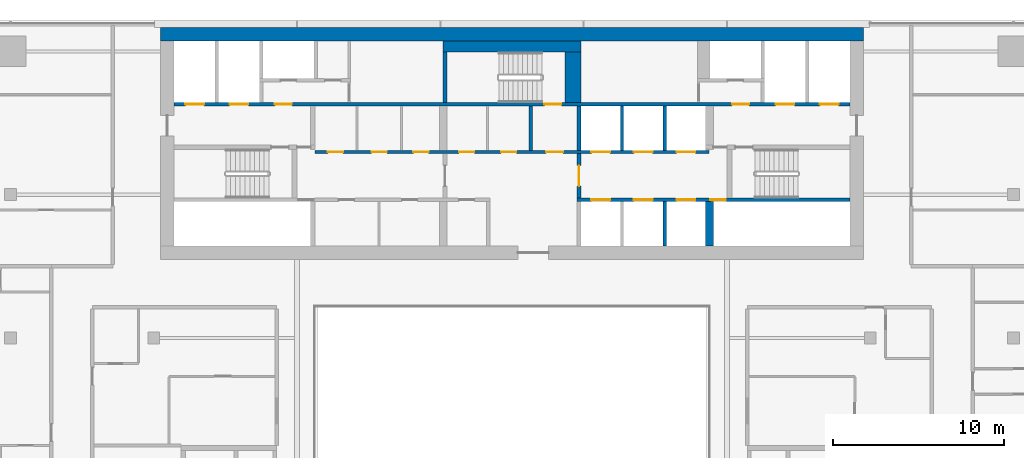
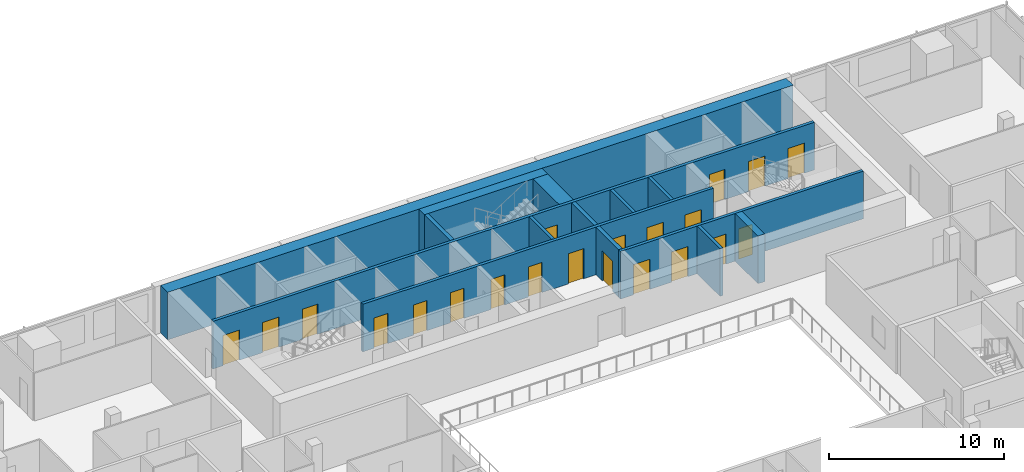
# One storey, part 20 of 27: 21 doors, 14 walls, 21 openings.
"""IFC4 building model written with IfcOpenShell, lengths in metres."""

from ifc_helpers import new_model, si_unit, direction, frame, frame_2d, origin, place, context, subcontext, project, spatial, rectangle, extrude, material, layer, layer_set, type_object, element, fill, save


model = new_model("IFC4")

# Units and contexts
model_context = context("Model", 3, precision=1e-05, world=origin(), true_north=direction((0.0, 1.0)))
body_context = subcontext(model_context, "Body", "Model", "MODEL_VIEW")
ifc_project = project(units=[si_unit("LENGTHUNIT", "METRE"), si_unit("AREAUNIT", "SQUARE_METRE"), si_unit("VOLUMEUNIT", "CUBIC_METRE"), si_unit("PLANEANGLEUNIT", "RADIAN"), si_unit("MASSUNIT", "GRAM", prefix="KILO")], contexts=[model_context])

# Site, building, storey
site_placement = place(None, origin())
site = spatial("IfcSite", under=ifc_project, at=site_placement, CompositionType="ELEMENT")
building_placement = place(site_placement, origin())
building = spatial("IfcBuilding", under=site, at=building_placement, Name="Saffron Gate Tower", CompositionType="ELEMENT")
storey_placement = place(building_placement, frame((0.0, 0.0, 183.449951171875)))
storey = spatial("IfcBuildingStorey", under=building, at=storey_placement, Name="L45", CompositionType="ELEMENT", Elevation=183.449951171875)

# Walls
ifc_material_1 = material(Name="Gypsum board partition on steel studs", Category="steel")
ifc_layer_1 = layer(ifc_material_1, 0.199951171875)
ifc_layer_set_1 = layer_set([ifc_layer_1], Name="CW10 Core partition 200")
wall_type_1 = type_object("IfcWallType", Name="CW10 Core partition 200", PredefinedType="PARTITIONING", material=ifc_layer_set_1)
wall_1_placement = place(storey_placement, frame((88.699951171875, 68.0, 0.0), z_axis=(0.0, 0.0, 1.0), x_axis=(0.0, 1.0, 0.0)))
element("IfcWall", 1, at=wall_1_placement, inside=storey, type_object=wall_type_1, Name="Wall CW10-L45-24", PredefinedType="PARTITIONING", context=body_context, shape_type="SweptSolid", body=[
    extrude(rectangle(XDim=2.60009765625, YDim=0.199951171875, at=frame_2d((1.300048828125, 0.0))), origin(), (0.0, 0.0, 1.0), 3.320068359375),
])
ifc_material_2 = material(Name="Concrete C60", Category="concrete")
ifc_layer_2 = layer(ifc_material_2, 0.800048828125)
ifc_layer_set_2 = layer_set([ifc_layer_2], Name="CW13 RC core wall 800 C60")
wall_type_2 = type_object("IfcWallType", Name="CW13 RC core wall 800 C60", PredefinedType="SOLIDWALL", material=ifc_layer_set_2)
wall_2_placement = place(storey_placement, frame((67.0, 74.800048828125, 0.0), z_axis=(0.0, 0.0, 1.0), x_axis=(1.0, 0.0, 0.0)))
element("IfcWall", 2, at=wall_2_placement, inside=storey, type_object=wall_type_2, Name="Wall CW13-L45-2", PredefinedType="SOLIDWALL", context=body_context, shape_type="SweptSolid", body=[
    extrude(rectangle(XDim=41.199951171875, YDim=0.800048828125, at=frame_2d((20.60009765625, 0.0))), origin(), (0.0, 0.0, 1.0), 3.320068359375),
])

# Wall, opening, door
ifc_layer_3 = layer(ifc_material_2, 0.25)
ifc_layer_set_3 = layer_set([ifc_layer_3], Name="CW14 RC core wall 250 C60")
wall_type_3 = type_object("IfcWallType", Name="CW14 RC core wall 250 C60", PredefinedType="SOLIDWALL", material=ifc_layer_set_3)
wall_3_placement = place(storey_placement, frame((91.52490234375, 65.199951171875, 0.0), z_axis=(0.0, 0.0, 1.0), x_axis=(0.0, 1.0, 0.0)))
wall_3 = element("IfcWall", 3, at=wall_3_placement, inside=storey, type_object=wall_type_3, Name="Wall CW14-L45-17", PredefinedType="SOLIDWALL", context=body_context, shape_type="SweptSolid", body=[
    extrude(rectangle(XDim=2.60009765625, YDim=0.25, at=frame_2d((1.300048828125, 0.0))), origin(), (0.0, 0.0, 1.0), 3.320068359375),
])
opening_1_placement = place(wall_3_placement, frame((0.699951171875, 0.0, 0.0)))
opening_1 = element("IfcOpeningElement", 4, at=opening_1_placement, cuts=wall_3, Name="Opening CR-01", PredefinedType="OPENING", context=body_context, shape_type="SweptSolid", body=[
    extrude(rectangle(XDim=1.199951171875, YDim=2.10009765625, at=frame_2d((0.60009765625, 1.050048828125))), frame((0.0, 0.135009765625, 0.0), z_axis=(0.0, -1.0, 0.0), x_axis=(1.0, 0.0, 0.0)), (0.0, 0.0, 1.0), 0.27001953125),
])
ifc_material_3 = material(Name="Steel fire door set", Category="steel")
door_type_1 = type_object("IfcDoorType", Name="CD3 Lobby door 1200x2100 EI 120", OperationType="NOTDEFINED", PredefinedType="DOOR", material=ifc_material_3)
door_1_placement = place(opening_1_placement, origin())
door_1 = element("IfcDoor", 5, at=door_1_placement, inside=storey, type_object=door_type_1, Name="DOOR CR-01", OperationType="SINGLE_SWING_RIGHT", OverallHeight=2.10009765625, OverallWidth=1.199951171875, PredefinedType="DOOR", context=body_context, shape_type="SweptSolid", body=[
    extrude(rectangle(XDim=1.199951171875, YDim=2.10009765625, at=frame_2d((0.60009765625, 1.050048828125))), frame((0.0, 0.02490234375, 0.0), z_axis=(0.0, -1.0, 0.0), x_axis=(1.0, 0.0, 0.0)), (0.0, 0.0, 1.0), 0.050048828125),
])
fill(opening_1, door_1)

# Walls
wall_4_placement = place(storey_placement, frame((91.52490234375, 68.0, 0.0), z_axis=(0.0, 0.0, 1.0), x_axis=(0.0, 1.0, 0.0)))
element("IfcWall", 6, at=wall_4_placement, inside=storey, type_object=wall_type_3, Name="Wall CW14-L45-25", PredefinedType="SOLIDWALL", context=body_context, shape_type="SweptSolid", body=[
    extrude(rectangle(XDim=2.60009765625, YDim=0.25, at=frame_2d((1.300048828125, 0.0))), origin(), (0.0, 0.0, 1.0), 3.320068359375),
])
wall_5_placement = place(storey_placement, frame((83.675048828125, 70.800048828125, 0.0), z_axis=(0.0, 0.0, 1.0), x_axis=(0.0, 1.0, 0.0)))
element("IfcWall", 7, at=wall_5_placement, inside=storey, type_object=wall_type_3, Name="Wall CW14-L45-37", PredefinedType="SOLIDWALL", context=body_context, shape_type="SweptSolid", body=[
    extrude(rectangle(XDim=2.949951171875, YDim=0.25, at=frame_2d((1.47509765625, 0.0))), origin(), (0.0, 0.0, 1.0), 3.320068359375),
])
ifc_layer_4 = layer(ifc_material_2, 0.199951171875)
ifc_layer_set_4 = layer_set([ifc_layer_4], Name="CW15 RC core wall 200 C60")
wall_type_4 = type_object("IfcWallType", Name="CW15 RC core wall 200 C60", PredefinedType="SOLIDWALL", material=ifc_layer_set_4)
wall_6_placement = place(storey_placement, frame((96.550048828125, 62.39990234375, 0.0), z_axis=(0.0, 0.0, 1.0), x_axis=(0.0, 1.0, 0.0)))
element("IfcWall", 8, at=wall_6_placement, inside=storey, type_object=wall_type_4, Name="Wall CW15-L45-11", PredefinedType="SOLIDWALL", context=body_context, shape_type="SweptSolid", body=[
    extrude(rectangle(XDim=2.60009765625, YDim=0.199951171875, at=frame_2d((1.300048828125, 0.0))), origin(), (0.0, 0.0, 1.0), 3.320068359375),
])

# Wall, openings, doors
wall_7_placement = place(storey_placement, frame((91.39990234375, 65.10009765625, 0.0), z_axis=(0.0, 0.0, 1.0), x_axis=(1.0, 0.0, 0.0)))
wall_7 = element("IfcWall", 9, at=wall_7_placement, inside=storey, type_object=wall_type_4, Name="Wall CW15-L45-14", PredefinedType="SOLIDWALL", context=body_context, shape_type="SweptSolid", body=[
    extrude(rectangle(XDim=16.0, YDim=0.199951171875, at=frame_2d((8.0, 0.0))), origin(), (0.0, 0.0, 1.0), 3.320068359375),
])
opening_2_placement = place(wall_7_placement, frame((0.85009765625, 0.0, 0.0)))
opening_2 = element("IfcOpeningElement", 10, at=opening_2_placement, cuts=wall_7, Name="Opening LD-HR1", PredefinedType="OPENING", context=body_context, shape_type="SweptSolid", body=[
    extrude(rectangle(XDim=1.10009765625, YDim=2.10009765625, at=frame_2d((0.550048828125, 1.050048828125))), frame((0.0, 0.10986328125, 0.0), z_axis=(0.0, -1.0, 0.0), x_axis=(1.0, 0.0, 0.0)), (0.0, 0.0, 1.0), 0.219970703125),
])
opening_3_placement = place(wall_7_placement, frame((3.35009765625, 0.0, 0.0)))
opening_3 = element("IfcOpeningElement", 11, at=opening_3_placement, cuts=wall_7, Name="Opening LD-HR2", PredefinedType="OPENING", context=body_context, shape_type="SweptSolid", body=[
    extrude(rectangle(XDim=1.10009765625, YDim=2.10009765625, at=frame_2d((0.550048828125, 1.050048828125))), frame((0.0, 0.10986328125, 0.0), z_axis=(0.0, -1.0, 0.0), x_axis=(1.0, 0.0, 0.0)), (0.0, 0.0, 1.0), 0.219970703125),
])
opening_4_placement = place(wall_7_placement, frame((5.85009765625, 0.0, 0.0)))
opening_4 = element("IfcOpeningElement", 12, at=opening_4_placement, cuts=wall_7, Name="Opening LD-HR3", PredefinedType="OPENING", context=body_context, shape_type="SweptSolid", body=[
    extrude(rectangle(XDim=1.10009765625, YDim=2.10009765625, at=frame_2d((0.550048828125, 1.050048828125))), frame((0.0, 0.10986328125, 0.0), z_axis=(0.0, -1.0, 0.0), x_axis=(1.0, 0.0, 0.0)), (0.0, 0.0, 1.0), 0.219970703125),
])
opening_5_placement = place(wall_7_placement, frame((7.830078125, 0.0, 0.0)))
opening_5 = element("IfcOpeningElement", 13, at=opening_5_placement, cuts=wall_7, Name="Opening CR-48", PredefinedType="OPENING", context=body_context, shape_type="SweptSolid", body=[
    extrude(rectangle(XDim=0.89990234375, YDim=2.10009765625, at=frame_2d((0.449951171875, 1.050048828125))), frame((0.0, 0.10986328125, 0.0), z_axis=(0.0, -1.0, 0.0), x_axis=(1.0, 0.0, 0.0)), (0.0, 0.0, 1.0), 0.219970703125),
])
door_type_2 = type_object("IfcDoorType", Name="CD2 Riser door 900x2100 EI 60", OperationType="NOTDEFINED", PredefinedType="DOOR", material=ifc_material_3)
door_2_placement = place(opening_5_placement, origin())
door_2 = element("IfcDoor", 14, at=door_2_placement, inside=storey, type_object=door_type_2, Name="DOOR CR-48", OperationType="SINGLE_SWING_RIGHT", OverallHeight=2.10009765625, OverallWidth=0.89990234375, PredefinedType="DOOR", context=body_context, shape_type="SweptSolid", body=[
    extrude(rectangle(XDim=0.89990234375, YDim=2.10009765625, at=frame_2d((0.449951171875, 1.050048828125))), frame((0.0, 0.02490234375, 0.0), z_axis=(0.0, -1.0, 0.0), x_axis=(1.0, 0.0, 0.0)), (0.0, 0.0, 1.0), 0.050048828125),
])
fill(opening_5, door_2)
ifc_material_4 = material(Name="Stainless steel landing door", Category="steel")
door_type_3 = type_object("IfcDoorType", Name="LD Lift landing door 1100x2100 EI 120", OperationType="SLIDING_TO_LEFT", PredefinedType="DOOR", material=ifc_material_4)
door_3_placement = place(opening_2_placement, origin())
door_3 = element("IfcDoor", 15, at=door_3_placement, inside=storey, type_object=door_type_3, Name="LANDING DOOR LD-HR1", OperationType="SLIDING_TO_LEFT", OverallHeight=2.10009765625, OverallWidth=1.10009765625, PredefinedType="DOOR", context=body_context, shape_type="SweptSolid", body=[
    extrude(rectangle(XDim=1.10009765625, YDim=2.10009765625, at=frame_2d((0.550048828125, 1.050048828125))), frame((0.0, 0.02490234375, 0.0), z_axis=(0.0, -1.0, 0.0), x_axis=(1.0, 0.0, 0.0)), (0.0, 0.0, 1.0), 0.050048828125),
])
fill(opening_2, door_3)
door_4_placement = place(opening_3_placement, origin())
door_4 = element("IfcDoor", 16, at=door_4_placement, inside=storey, type_object=door_type_3, Name="LANDING DOOR LD-HR2", OperationType="SLIDING_TO_LEFT", OverallHeight=2.10009765625, OverallWidth=1.10009765625, PredefinedType="DOOR", context=body_context, shape_type="SweptSolid", body=[
    extrude(rectangle(XDim=1.10009765625, YDim=2.10009765625, at=frame_2d((0.550048828125, 1.050048828125))), frame((0.0, 0.02490234375, 0.0), z_axis=(0.0, -1.0, 0.0), x_axis=(1.0, 0.0, 0.0)), (0.0, 0.0, 1.0), 0.050048828125),
])
fill(opening_3, door_4)
door_5_placement = place(opening_4_placement, origin())
door_5 = element("IfcDoor", 17, at=door_5_placement, inside=storey, type_object=door_type_3, Name="LANDING DOOR LD-HR3", OperationType="SLIDING_TO_LEFT", OverallHeight=2.10009765625, OverallWidth=1.10009765625, PredefinedType="DOOR", context=body_context, shape_type="SweptSolid", body=[
    extrude(rectangle(XDim=1.10009765625, YDim=2.10009765625, at=frame_2d((0.550048828125, 1.050048828125))), frame((0.0, 0.02490234375, 0.0), z_axis=(0.0, -1.0, 0.0), x_axis=(1.0, 0.0, 0.0)), (0.0, 0.0, 1.0), 0.050048828125),
])
fill(opening_4, door_5)

wall_8_placement = place(storey_placement, frame((76.050048828125, 67.89990234375, 0.0), z_axis=(0.0, 0.0, 1.0), x_axis=(1.0, 0.0, 0.0)))
wall_8 = element("IfcWall", 18, at=wall_8_placement, inside=storey, type_object=wall_type_4, Name="Wall CW15-L45-19", PredefinedType="SOLIDWALL", context=body_context, shape_type="SweptSolid", body=[
    extrude(rectangle(XDim=23.099853515625, YDim=0.199951171875, at=frame_2d((11.5498046875, 0.0))), origin(), (0.0, 0.0, 1.0), 3.320068359375),
])
opening_6_placement = place(wall_8_placement, frame((0.75, 0.0, 0.0)))
opening_6 = element("IfcOpeningElement", 19, at=opening_6_placement, cuts=wall_8, Name="Opening CR-61", PredefinedType="OPENING", context=body_context, shape_type="SweptSolid", body=[
    extrude(rectangle(XDim=0.89990234375, YDim=2.10009765625, at=frame_2d((0.449951171875, 1.050048828125))), frame((0.0, 0.10986328125, 0.0), z_axis=(0.0, -1.0, 0.0), x_axis=(1.0, 0.0, 0.0)), (0.0, 0.0, 1.0), 0.219970703125),
])
opening_7_placement = place(wall_8_placement, frame((3.320068359375, 0.0, 0.0)))
opening_7 = element("IfcOpeningElement", 20, at=opening_7_placement, cuts=wall_8, Name="Opening CR-62", PredefinedType="OPENING", context=body_context, shape_type="SweptSolid", body=[
    extrude(rectangle(XDim=0.89990234375, YDim=2.10009765625, at=frame_2d((0.449951171875, 1.050048828125))), frame((0.0, 0.10986328125, 0.0), z_axis=(0.0, -1.0, 0.0), x_axis=(1.0, 0.0, 0.0)), (0.0, 0.0, 1.0), 0.219970703125),
])
opening_8_placement = place(wall_8_placement, frame((5.77001953125, 0.0, 0.0)))
opening_8 = element("IfcOpeningElement", 21, at=opening_8_placement, cuts=wall_8, Name="Opening CR-63", PredefinedType="OPENING", context=body_context, shape_type="SweptSolid", body=[
    extrude(rectangle(XDim=0.89990234375, YDim=2.10009765625, at=frame_2d((0.449951171875, 1.050048828125))), frame((0.0, 0.10986328125, 0.0), z_axis=(0.0, -1.0, 0.0), x_axis=(1.0, 0.0, 0.0)), (0.0, 0.0, 1.0), 0.219970703125),
])
opening_9_placement = place(wall_8_placement, frame((8.449951171875, 0.0, 0.0)))
opening_9 = element("IfcOpeningElement", 22, at=opening_9_placement, cuts=wall_8, Name="Opening CR-67", PredefinedType="OPENING", context=body_context, shape_type="SweptSolid", body=[
    extrude(rectangle(XDim=0.89990234375, YDim=2.10009765625, at=frame_2d((0.449951171875, 1.050048828125))), frame((0.0, 0.10986328125, 0.0), z_axis=(0.0, -1.0, 0.0), x_axis=(1.0, 0.0, 0.0)), (0.0, 0.0, 1.0), 0.219970703125),
])
opening_10_placement = place(wall_8_placement, frame((10.909912109375, 0.0, 0.0)))
opening_10 = element("IfcOpeningElement", 23, at=opening_10_placement, cuts=wall_8, Name="Opening CR-68", PredefinedType="OPENING", context=body_context, shape_type="SweptSolid", body=[
    extrude(rectangle(XDim=0.89990234375, YDim=2.10009765625, at=frame_2d((0.449951171875, 1.050048828125))), frame((0.0, 0.10986328125, 0.0), z_axis=(0.0, -1.0, 0.0), x_axis=(1.0, 0.0, 0.0)), (0.0, 0.0, 1.0), 0.219970703125),
])
opening_11_placement = place(wall_8_placement, frame((13.550048828125, 0.0, 0.0)))
opening_11 = element("IfcOpeningElement", 24, at=opening_11_placement, cuts=wall_8, Name="Opening CR-02", PredefinedType="OPENING", context=body_context, shape_type="SweptSolid", body=[
    extrude(rectangle(XDim=1.0, YDim=2.10009765625, at=frame_2d((0.5, 1.050048828125))), frame((0.0, 0.10986328125, 0.0), z_axis=(0.0, -1.0, 0.0), x_axis=(1.0, 0.0, 0.0)), (0.0, 0.0, 1.0), 0.219970703125),
])
opening_12_placement = place(wall_8_placement, frame((16.199951171875, 0.0, 0.0)))
opening_12 = element("IfcOpeningElement", 25, at=opening_12_placement, cuts=wall_8, Name="Opening LD-HR4", PredefinedType="OPENING", context=body_context, shape_type="SweptSolid", body=[
    extrude(rectangle(XDim=1.10009765625, YDim=2.10009765625, at=frame_2d((0.550048828125, 1.050048828125))), frame((0.0, 0.10986328125, 0.0), z_axis=(0.0, -1.0, 0.0), x_axis=(1.0, 0.0, 0.0)), (0.0, 0.0, 1.0), 0.219970703125),
])
opening_13_placement = place(wall_8_placement, frame((18.699951171875, 0.0, 0.0)))
opening_13 = element("IfcOpeningElement", 26, at=opening_13_placement, cuts=wall_8, Name="Opening LD-HR5", PredefinedType="OPENING", context=body_context, shape_type="SweptSolid", body=[
    extrude(rectangle(XDim=1.10009765625, YDim=2.10009765625, at=frame_2d((0.550048828125, 1.050048828125))), frame((0.0, 0.10986328125, 0.0), z_axis=(0.0, -1.0, 0.0), x_axis=(1.0, 0.0, 0.0)), (0.0, 0.0, 1.0), 0.219970703125),
])
opening_14_placement = place(wall_8_placement, frame((21.199951171875, 0.0, 0.0)))
opening_14 = element("IfcOpeningElement", 27, at=opening_14_placement, cuts=wall_8, Name="Opening LD-HR6", PredefinedType="OPENING", context=body_context, shape_type="SweptSolid", body=[
    extrude(rectangle(XDim=1.10009765625, YDim=2.10009765625, at=frame_2d((0.550048828125, 1.050048828125))), frame((0.0, 0.10986328125, 0.0), z_axis=(0.0, -1.0, 0.0), x_axis=(1.0, 0.0, 0.0)), (0.0, 0.0, 1.0), 0.219970703125),
])
door_type_4 = type_object("IfcDoorType", Name="CD4 Lobby door 1000x2100 EI 120", OperationType="NOTDEFINED", PredefinedType="DOOR", material=ifc_material_3)
door_6_placement = place(opening_11_placement, origin())
door_6 = element("IfcDoor", 28, at=door_6_placement, inside=storey, type_object=door_type_4, Name="DOOR CR-02", OperationType="SINGLE_SWING_LEFT", OverallHeight=2.10009765625, OverallWidth=1.0, PredefinedType="DOOR", context=body_context, shape_type="SweptSolid", body=[
    extrude(rectangle(XDim=1.0, YDim=2.10009765625, at=frame_2d((0.5, 1.050048828125))), frame((0.0, 0.02490234375, 0.0), z_axis=(0.0, -1.0, 0.0), x_axis=(1.0, 0.0, 0.0)), (0.0, 0.0, 1.0), 0.050048828125),
])
fill(opening_11, door_6)
door_type_5 = type_object("IfcDoorType", Name="CD9 Room door 900x2100 EI 60", OperationType="NOTDEFINED", PredefinedType="DOOR", material=ifc_material_3)
door_7_placement = place(opening_6_placement, origin())
door_7 = element("IfcDoor", 29, at=door_7_placement, inside=storey, type_object=door_type_5, Name="DOOR CR-61", OperationType="SINGLE_SWING_LEFT", OverallHeight=2.10009765625, OverallWidth=0.89990234375, PredefinedType="DOOR", context=body_context, shape_type="SweptSolid", body=[
    extrude(rectangle(XDim=0.89990234375, YDim=2.10009765625, at=frame_2d((0.449951171875, 1.050048828125))), frame((0.0, 0.02490234375, 0.0), z_axis=(0.0, -1.0, 0.0), x_axis=(1.0, 0.0, 0.0)), (0.0, 0.0, 1.0), 0.050048828125),
])
fill(opening_6, door_7)
door_8_placement = place(opening_7_placement, origin())
door_8 = element("IfcDoor", 30, at=door_8_placement, inside=storey, type_object=door_type_5, Name="DOOR CR-62", OperationType="SINGLE_SWING_LEFT", OverallHeight=2.10009765625, OverallWidth=0.89990234375, PredefinedType="DOOR", context=body_context, shape_type="SweptSolid", body=[
    extrude(rectangle(XDim=0.89990234375, YDim=2.10009765625, at=frame_2d((0.449951171875, 1.050048828125))), frame((0.0, 0.02490234375, 0.0), z_axis=(0.0, -1.0, 0.0), x_axis=(1.0, 0.0, 0.0)), (0.0, 0.0, 1.0), 0.050048828125),
])
fill(opening_7, door_8)
door_9_placement = place(opening_8_placement, origin())
door_9 = element("IfcDoor", 31, at=door_9_placement, inside=storey, type_object=door_type_5, Name="DOOR CR-63", OperationType="SINGLE_SWING_LEFT", OverallHeight=2.10009765625, OverallWidth=0.89990234375, PredefinedType="DOOR", context=body_context, shape_type="SweptSolid", body=[
    extrude(rectangle(XDim=0.89990234375, YDim=2.10009765625, at=frame_2d((0.449951171875, 1.050048828125))), frame((0.0, 0.02490234375, 0.0), z_axis=(0.0, -1.0, 0.0), x_axis=(1.0, 0.0, 0.0)), (0.0, 0.0, 1.0), 0.050048828125),
])
fill(opening_8, door_9)
door_10_placement = place(opening_9_placement, origin())
door_10 = element("IfcDoor", 32, at=door_10_placement, inside=storey, type_object=door_type_5, Name="DOOR CR-67", OperationType="SINGLE_SWING_LEFT", OverallHeight=2.10009765625, OverallWidth=0.89990234375, PredefinedType="DOOR", context=body_context, shape_type="SweptSolid", body=[
    extrude(rectangle(XDim=0.89990234375, YDim=2.10009765625, at=frame_2d((0.449951171875, 1.050048828125))), frame((0.0, 0.02490234375, 0.0), z_axis=(0.0, -1.0, 0.0), x_axis=(1.0, 0.0, 0.0)), (0.0, 0.0, 1.0), 0.050048828125),
])
fill(opening_9, door_10)
door_11_placement = place(opening_10_placement, origin())
door_11 = element("IfcDoor", 33, at=door_11_placement, inside=storey, type_object=door_type_5, Name="DOOR CR-68", OperationType="SINGLE_SWING_LEFT", OverallHeight=2.10009765625, OverallWidth=0.89990234375, PredefinedType="DOOR", context=body_context, shape_type="SweptSolid", body=[
    extrude(rectangle(XDim=0.89990234375, YDim=2.10009765625, at=frame_2d((0.449951171875, 1.050048828125))), frame((0.0, 0.02490234375, 0.0), z_axis=(0.0, -1.0, 0.0), x_axis=(1.0, 0.0, 0.0)), (0.0, 0.0, 1.0), 0.050048828125),
])
fill(opening_10, door_11)
door_12_placement = place(opening_12_placement, origin())
door_12 = element("IfcDoor", 34, at=door_12_placement, inside=storey, type_object=door_type_3, Name="LANDING DOOR LD-HR4", OperationType="SLIDING_TO_RIGHT", OverallHeight=2.10009765625, OverallWidth=1.10009765625, PredefinedType="DOOR", context=body_context, shape_type="SweptSolid", body=[
    extrude(rectangle(XDim=1.10009765625, YDim=2.10009765625, at=frame_2d((0.550048828125, 1.050048828125))), frame((0.0, 0.02490234375, 0.0), z_axis=(0.0, -1.0, 0.0), x_axis=(1.0, 0.0, 0.0)), (0.0, 0.0, 1.0), 0.050048828125),
])
fill(opening_12, door_12)
door_13_placement = place(opening_13_placement, origin())
door_13 = element("IfcDoor", 35, at=door_13_placement, inside=storey, type_object=door_type_3, Name="LANDING DOOR LD-HR5", OperationType="SLIDING_TO_RIGHT", OverallHeight=2.10009765625, OverallWidth=1.10009765625, PredefinedType="DOOR", context=body_context, shape_type="SweptSolid", body=[
    extrude(rectangle(XDim=1.10009765625, YDim=2.10009765625, at=frame_2d((0.550048828125, 1.050048828125))), frame((0.0, 0.02490234375, 0.0), z_axis=(0.0, -1.0, 0.0), x_axis=(1.0, 0.0, 0.0)), (0.0, 0.0, 1.0), 0.050048828125),
])
fill(opening_13, door_13)
door_14_placement = place(opening_14_placement, origin())
door_14 = element("IfcDoor", 36, at=door_14_placement, inside=storey, type_object=door_type_3, Name="LANDING DOOR LD-HR6", OperationType="SLIDING_TO_RIGHT", OverallHeight=2.10009765625, OverallWidth=1.10009765625, PredefinedType="DOOR", context=body_context, shape_type="SweptSolid", body=[
    extrude(rectangle(XDim=1.10009765625, YDim=2.10009765625, at=frame_2d((0.550048828125, 1.050048828125))), frame((0.0, 0.02490234375, 0.0), z_axis=(0.0, -1.0, 0.0), x_axis=(1.0, 0.0, 0.0)), (0.0, 0.0, 1.0), 0.050048828125),
])
fill(opening_14, door_14)

# Walls
for number, where, z_axis, x_axis, name in (
    (37, (94.050048828125, 68.0, 0.0), (0.0, 0.0, 1.0), (0.0, 1.0, 0.0), "Wall CW15-L45-26"),
    (38, (96.550048828125, 68.0, 0.0), (0.0, 0.0, 1.0), (0.0, 1.0, 0.0), "Wall CW15-L45-27"),
):
    element("IfcWall", number, at=place(storey_placement, frame(where, z_axis=z_axis, x_axis=x_axis)), inside=storey, type_object=wall_type_4, Name=name, PredefinedType="SOLIDWALL", context=body_context, shape_type="SweptSolid", body=[
        extrude(rectangle(XDim=2.60009765625, YDim=0.199951171875, at=frame_2d((1.300048828125, 0.0))), origin(), (0.0, 0.0, 1.0), 3.320068359375),
    ])

# Wall, openings, doors
wall_9_placement = place(storey_placement, frame((67.800048828125, 70.699951171875, 0.0), z_axis=(0.0, 0.0, 1.0), x_axis=(1.0, 0.0, 0.0)))
wall_9 = element("IfcWall", 39, at=wall_9_placement, inside=storey, type_object=wall_type_4, Name="Wall CW15-L45-33", PredefinedType="SOLIDWALL", context=body_context, shape_type="SweptSolid", body=[
    extrude(rectangle(XDim=39.599853515625, YDim=0.199951171875, at=frame_2d((19.7998046875, 0.0))), origin(), (0.0, 0.0, 1.0), 3.320068359375),
])
opening_15_placement = place(wall_9_placement, frame((0.64990234375, 0.0, 0.0)))
opening_15 = element("IfcOpeningElement", 40, at=opening_15_placement, cuts=wall_9, Name="Opening LD-FF1", PredefinedType="OPENING", context=body_context, shape_type="SweptSolid", body=[
    extrude(rectangle(XDim=1.10009765625, YDim=2.10009765625, at=frame_2d((0.550048828125, 1.050048828125))), frame((0.0, 0.10986328125, 0.0), z_axis=(0.0, -1.0, 0.0), x_axis=(1.0, 0.0, 0.0)), (0.0, 0.0, 1.0), 0.219970703125),
])
opening_16_placement = place(wall_9_placement, frame((3.25, 0.0, 0.0)))
opening_16 = element("IfcOpeningElement", 41, at=opening_16_placement, cuts=wall_9, Name="Opening LD-SV1", PredefinedType="OPENING", context=body_context, shape_type="SweptSolid", body=[
    extrude(rectangle(XDim=1.10009765625, YDim=2.10009765625, at=frame_2d((0.550048828125, 1.050048828125))), frame((0.0, 0.10986328125, 0.0), z_axis=(0.0, -1.0, 0.0), x_axis=(1.0, 0.0, 0.0)), (0.0, 0.0, 1.0), 0.219970703125),
])
opening_17_placement = place(wall_9_placement, frame((5.89990234375, 0.0, 0.0)))
opening_17 = element("IfcOpeningElement", 42, at=opening_17_placement, cuts=wall_9, Name="Opening CR-03", PredefinedType="OPENING", context=body_context, shape_type="SweptSolid", body=[
    extrude(rectangle(XDim=1.0, YDim=2.10009765625, at=frame_2d((0.5, 1.050048828125))), frame((0.0, 0.10986328125, 0.0), z_axis=(0.0, -1.0, 0.0), x_axis=(1.0, 0.0, 0.0)), (0.0, 0.0, 1.0), 0.219970703125),
])
opening_18_placement = place(wall_9_placement, frame((21.699951171875, 0.0, 0.0)))
opening_18 = element("IfcOpeningElement", 43, at=opening_18_placement, cuts=wall_9, Name="Opening CR-17", PredefinedType="OPENING", context=body_context, shape_type="SweptSolid", body=[
    extrude(rectangle(XDim=1.0, YDim=2.10009765625, at=frame_2d((0.5, 1.050048828125))), frame((0.0, 0.10986328125, 0.0), z_axis=(0.0, -1.0, 0.0), x_axis=(1.0, 0.0, 0.0)), (0.0, 0.0, 1.0), 0.219970703125),
])
opening_19_placement = place(wall_9_placement, frame((32.699951171875, 0.0, 0.0)))
opening_19 = element("IfcOpeningElement", 44, at=opening_19_placement, cuts=wall_9, Name="Opening CR-04", PredefinedType="OPENING", context=body_context, shape_type="SweptSolid", body=[
    extrude(rectangle(XDim=1.0, YDim=2.10009765625, at=frame_2d((0.5, 1.050048828125))), frame((0.0, 0.10986328125, 0.0), z_axis=(0.0, -1.0, 0.0), x_axis=(1.0, 0.0, 0.0)), (0.0, 0.0, 1.0), 0.219970703125),
])
opening_20_placement = place(wall_9_placement, frame((35.25, 0.0, 0.0)))
opening_20 = element("IfcOpeningElement", 45, at=opening_20_placement, cuts=wall_9, Name="Opening LD-SV2", PredefinedType="OPENING", context=body_context, shape_type="SweptSolid", body=[
    extrude(rectangle(XDim=1.10009765625, YDim=2.10009765625, at=frame_2d((0.550048828125, 1.050048828125))), frame((0.0, 0.10986328125, 0.0), z_axis=(0.0, -1.0, 0.0), x_axis=(1.0, 0.0, 0.0)), (0.0, 0.0, 1.0), 0.219970703125),
])
opening_21_placement = place(wall_9_placement, frame((37.85009765625, 0.0, 0.0)))
opening_21 = element("IfcOpeningElement", 46, at=opening_21_placement, cuts=wall_9, Name="Opening LD-FF2", PredefinedType="OPENING", context=body_context, shape_type="SweptSolid", body=[
    extrude(rectangle(XDim=1.10009765625, YDim=2.10009765625, at=frame_2d((0.550048828125, 1.050048828125))), frame((0.0, 0.10986328125, 0.0), z_axis=(0.0, -1.0, 0.0), x_axis=(1.0, 0.0, 0.0)), (0.0, 0.0, 1.0), 0.219970703125),
])
door_15_placement = place(opening_17_placement, origin())
door_15 = element("IfcDoor", 47, at=door_15_placement, inside=storey, type_object=door_type_4, Name="DOOR CR-03", OperationType="SINGLE_SWING_LEFT", OverallHeight=2.10009765625, OverallWidth=1.0, PredefinedType="DOOR", context=body_context, shape_type="SweptSolid", body=[
    extrude(rectangle(XDim=1.0, YDim=2.10009765625, at=frame_2d((0.5, 1.050048828125))), frame((0.0, 0.02490234375, 0.0), z_axis=(0.0, -1.0, 0.0), x_axis=(1.0, 0.0, 0.0)), (0.0, 0.0, 1.0), 0.050048828125),
])
fill(opening_17, door_15)
door_16_placement = place(opening_19_placement, origin())
door_16 = element("IfcDoor", 48, at=door_16_placement, inside=storey, type_object=door_type_4, Name="DOOR CR-04", OperationType="SINGLE_SWING_RIGHT", OverallHeight=2.10009765625, OverallWidth=1.0, PredefinedType="DOOR", context=body_context, shape_type="SweptSolid", body=[
    extrude(rectangle(XDim=1.0, YDim=2.10009765625, at=frame_2d((0.5, 1.050048828125))), frame((0.0, 0.02490234375, 0.0), z_axis=(0.0, -1.0, 0.0), x_axis=(1.0, 0.0, 0.0)), (0.0, 0.0, 1.0), 0.050048828125),
])
fill(opening_19, door_16)
door_type_6 = type_object("IfcDoorType", Name="CD5 Stair door 1000x2100 EI 120", OperationType="NOTDEFINED", PredefinedType="DOOR", material=ifc_material_3)
door_17_placement = place(opening_18_placement, origin())
door_17 = element("IfcDoor", 49, at=door_17_placement, inside=storey, type_object=door_type_6, Name="DOOR CR-17", OperationType="SINGLE_SWING_RIGHT", OverallHeight=2.10009765625, OverallWidth=1.0, PredefinedType="DOOR", context=body_context, shape_type="SweptSolid", body=[
    extrude(rectangle(XDim=1.0, YDim=2.10009765625, at=frame_2d((0.5, 1.050048828125))), frame((0.0, 0.02490234375, 0.0), z_axis=(0.0, -1.0, 0.0), x_axis=(1.0, 0.0, 0.0)), (0.0, 0.0, 1.0), 0.050048828125),
])
fill(opening_18, door_17)
door_18_placement = place(opening_15_placement, origin())
door_18 = element("IfcDoor", 50, at=door_18_placement, inside=storey, type_object=door_type_3, Name="LANDING DOOR LD-FF1", OperationType="SLIDING_TO_RIGHT", OverallHeight=2.10009765625, OverallWidth=1.10009765625, PredefinedType="DOOR", context=body_context, shape_type="SweptSolid", body=[
    extrude(rectangle(XDim=1.10009765625, YDim=2.10009765625, at=frame_2d((0.550048828125, 1.050048828125))), frame((0.0, 0.02490234375, 0.0), z_axis=(0.0, -1.0, 0.0), x_axis=(1.0, 0.0, 0.0)), (0.0, 0.0, 1.0), 0.050048828125),
])
fill(opening_15, door_18)
door_19_placement = place(opening_16_placement, origin())
door_19 = element("IfcDoor", 51, at=door_19_placement, inside=storey, type_object=door_type_3, Name="LANDING DOOR LD-SV1", OperationType="SLIDING_TO_RIGHT", OverallHeight=2.10009765625, OverallWidth=1.10009765625, PredefinedType="DOOR", context=body_context, shape_type="SweptSolid", body=[
    extrude(rectangle(XDim=1.10009765625, YDim=2.10009765625, at=frame_2d((0.550048828125, 1.050048828125))), frame((0.0, 0.02490234375, 0.0), z_axis=(0.0, -1.0, 0.0), x_axis=(1.0, 0.0, 0.0)), (0.0, 0.0, 1.0), 0.050048828125),
])
fill(opening_16, door_19)
door_20_placement = place(opening_20_placement, origin())
door_20 = element("IfcDoor", 52, at=door_20_placement, inside=storey, type_object=door_type_3, Name="LANDING DOOR LD-SV2", OperationType="SLIDING_TO_RIGHT", OverallHeight=2.10009765625, OverallWidth=1.10009765625, PredefinedType="DOOR", context=body_context, shape_type="SweptSolid", body=[
    extrude(rectangle(XDim=1.10009765625, YDim=2.10009765625, at=frame_2d((0.550048828125, 1.050048828125))), frame((0.0, 0.02490234375, 0.0), z_axis=(0.0, -1.0, 0.0), x_axis=(1.0, 0.0, 0.0)), (0.0, 0.0, 1.0), 0.050048828125),
])
fill(opening_20, door_20)
door_21_placement = place(opening_21_placement, origin())
door_21 = element("IfcDoor", 53, at=door_21_placement, inside=storey, type_object=door_type_3, Name="LANDING DOOR LD-FF2", OperationType="SLIDING_TO_RIGHT", OverallHeight=2.10009765625, OverallWidth=1.10009765625, PredefinedType="DOOR", context=body_context, shape_type="SweptSolid", body=[
    extrude(rectangle(XDim=1.10009765625, YDim=2.10009765625, at=frame_2d((0.550048828125, 1.050048828125))), frame((0.0, 0.02490234375, 0.0), z_axis=(0.0, -1.0, 0.0), x_axis=(1.0, 0.0, 0.0)), (0.0, 0.0, 1.0), 0.050048828125),
])
fill(opening_21, door_21)

# Walls
ifc_layer_5 = layer(ifc_material_2, 0.449951171875)
ifc_layer_set_5 = layer_set([ifc_layer_5], Name="CW16 RC core wall 450 C60")
wall_type_5 = type_object("IfcWallType", Name="CW16 RC core wall 450 C60", PredefinedType="SOLIDWALL", material=ifc_layer_set_5)
wall_10_placement = place(storey_placement, frame((99.175048828125, 62.39990234375, 0.0), z_axis=(0.0, 0.0, 1.0), x_axis=(0.0, 1.0, 0.0)))
element("IfcWall", 54, at=wall_10_placement, inside=storey, type_object=wall_type_5, Name="Wall CW16-L45-12", PredefinedType="SOLIDWALL", context=body_context, shape_type="SweptSolid", body=[
    extrude(rectangle(XDim=2.60009765625, YDim=0.449951171875, at=frame_2d((1.300048828125, 0.0))), origin(), (0.0, 0.0, 1.0), 3.320068359375),
])
ifc_layer_6 = layer(ifc_material_2, 0.949951171875)
ifc_layer_set_6 = layer_set([ifc_layer_6], Name="CW19 RC core wall 950 C60")
wall_type_6 = type_object("IfcWallType", Name="CW19 RC core wall 950 C60", PredefinedType="SOLIDWALL", material=ifc_layer_set_6)
wall_11_placement = place(storey_placement, frame((91.175048828125, 70.800048828125, 0.0), z_axis=(0.0, 0.0, 1.0), x_axis=(0.0, 1.0, 0.0)))
element("IfcWall", 55, at=wall_11_placement, inside=storey, type_object=wall_type_6, Name="Wall CW19-L45-38", PredefinedType="SOLIDWALL", context=body_context, shape_type="SweptSolid", body=[
    extrude(rectangle(XDim=2.949951171875, YDim=0.949951171875, at=frame_2d((1.47509765625, 0.0))), origin(), (0.0, 0.0, 1.0), 3.320068359375),
])
ifc_layer_7 = layer(ifc_material_2, 0.64990234375)
ifc_layer_set_7 = layer_set([ifc_layer_7], Name="CW20 RC core wall 650 C60")
wall_type_7 = type_object("IfcWallType", Name="CW20 RC core wall 650 C60", PredefinedType="SOLIDWALL", material=ifc_layer_set_7)
wall_12_placement = place(storey_placement, frame((83.550048828125, 74.074951171875, 0.0), z_axis=(0.0, 0.0, 1.0), x_axis=(1.0, 0.0, 0.0)))
element("IfcWall", 56, at=wall_12_placement, inside=storey, type_object=wall_type_7, Name="Wall CW20-L45-49", PredefinedType="SOLIDWALL", context=body_context, shape_type="SweptSolid", body=[
    extrude(rectangle(XDim=8.099853515625, YDim=0.64990234375, at=frame_2d((4.0498046875, 0.0))), origin(), (0.0, 0.0, 1.0), 3.320068359375),
])

save(model, "model.ifc")
